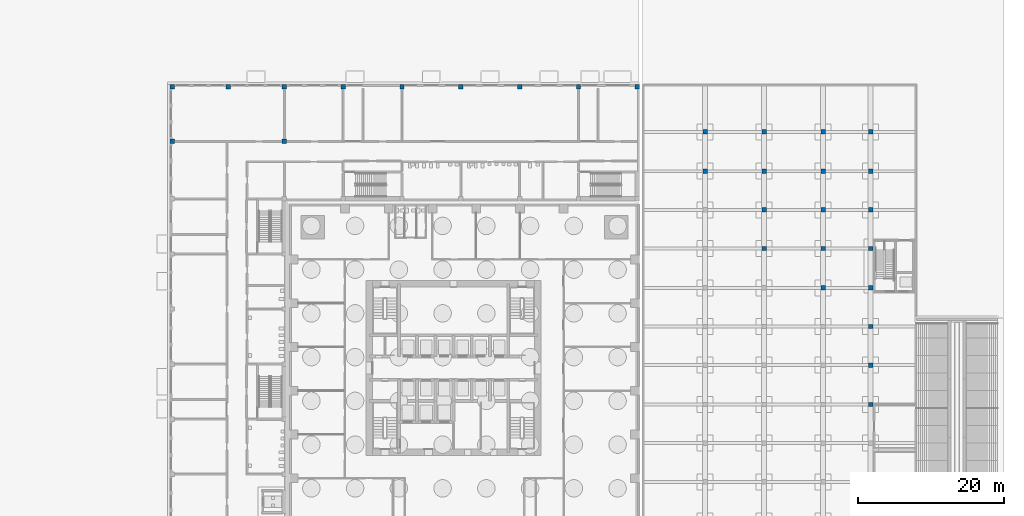
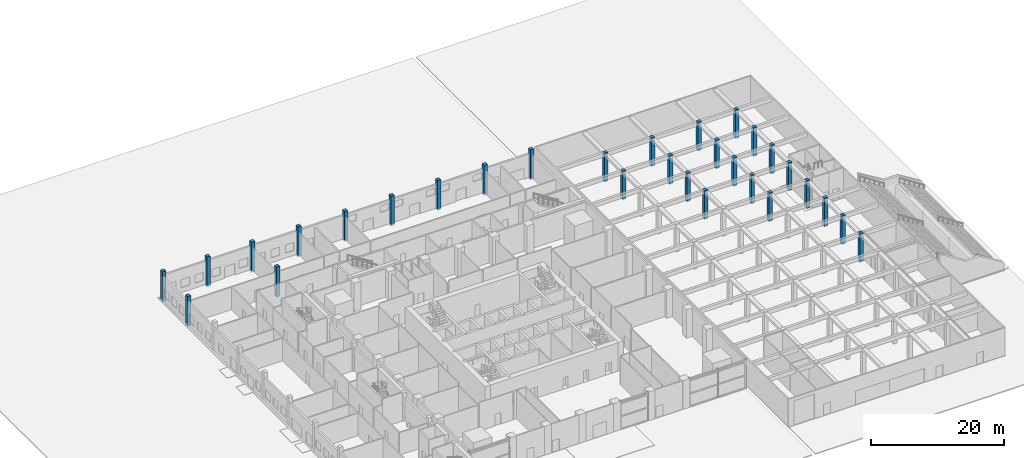
# One storey, part 2 of 33: 30 columns.
"""IFC4 building model written with IfcOpenShell, lengths in metres."""

from ifc_helpers import new_model, si_unit, direction, frame, origin, origin_2d, place, context, subcontext, project, spatial, rectangle, extrude, material, material_profile, profile_set, type_object, element, save


model = new_model("IFC4")

# Units and contexts
model_context = context("Model", 3, precision=1e-05, world=origin(), true_north=direction((0.0, 1.0)))
body_context = subcontext(model_context, "Body", "Model", "MODEL_VIEW")
ifc_project = project(units=[si_unit("LENGTHUNIT", "METRE"), si_unit("AREAUNIT", "SQUARE_METRE"), si_unit("VOLUMEUNIT", "CUBIC_METRE"), si_unit("PLANEANGLEUNIT", "RADIAN"), si_unit("MASSUNIT", "GRAM", prefix="KILO")], contexts=[model_context])

# Site, building, storey
site_placement = place(None, origin())
site = spatial("IfcSite", under=ifc_project, at=site_placement, CompositionType="ELEMENT")
building_placement = place(site_placement, origin())
building = spatial("IfcBuilding", under=site, at=building_placement, Name="Amberfall Residences", CompositionType="ELEMENT")
storey_placement = place(building_placement, origin())
storey = spatial("IfcBuildingStorey", under=building, at=storey_placement, Name="L00", CompositionType="ELEMENT", Elevation=0.0)

# Columns
ifc_material = material(Name="Concrete C50", Category="concrete")
ifc_material_profile_1 = material_profile(ifc_material, rectangle(XDim=0.60009765625, YDim=0.60009765625, at=origin_2d()), Name="RC 600x600")
ifc_profile_set_1 = profile_set([ifc_material_profile_1], Name="Concrete C50")
column_type_1 = type_object("IfcColumnType", Name="Car park column 600 C50", PredefinedType="COLUMN", material=ifc_profile_set_1)
for number, where, z_axis, x_axis, name in (
    (1, (109.0, 72.5, -0.199951171875), (0.0, 0.0, 1.0), (1.0, 0.0, 0.0), "Car park column 600 C50 L00 012"),
    (2, (109.0, 77.89990234375, -0.199951171875), (0.0, 0.0, 1.0), (1.0, 0.0, 0.0), "Car park column 600 C50 L00 013"),
    (3, (117.10009765625, 61.89990234375, -0.199951171875), (0.0, 0.0, 1.0), (1.0, 0.0, 0.0), "Car park column 600 C50 L00 023"),
    (4, (117.10009765625, 67.199951171875, -0.199951171875), (0.0, 0.0, 1.0), (1.0, 0.0, 0.0), "Car park column 600 C50 L00 024"),
    (5, (117.10009765625, 72.5, -0.199951171875), (0.0, 0.0, 1.0), (1.0, 0.0, 0.0), "Car park column 600 C50 L00 025"),
    (6, (117.10009765625, 77.89990234375, -0.199951171875), (0.0, 0.0, 1.0), (1.0, 0.0, 0.0), "Car park column 600 C50 L00 026"),
    (7, (125.199951171875, 56.5, -0.199951171875), (0.0, 0.0, 1.0), (1.0, 0.0, 0.0), "Car park column 600 C50 L00 035"),
    (8, (125.199951171875, 61.89990234375, -0.199951171875), (0.0, 0.0, 1.0), (1.0, 0.0, 0.0), "Car park column 600 C50 L00 036"),
    (9, (125.199951171875, 67.199951171875, -0.199951171875), (0.0, 0.0, 1.0), (1.0, 0.0, 0.0), "Car park column 600 C50 L00 037"),
    (10, (125.199951171875, 72.5, -0.199951171875), (0.0, 0.0, 1.0), (1.0, 0.0, 0.0), "Car park column 600 C50 L00 038"),
    (11, (125.199951171875, 77.89990234375, -0.199951171875), (0.0, 0.0, 1.0), (1.0, 0.0, 0.0), "Car park column 600 C50 L00 039"),
    (12, (131.699951171875, 40.5, -0.199951171875), (0.0, 0.0, 1.0), (1.0, 0.0, 0.0), "Car park column 600 C50 L00 045"),
    (13, (131.699951171875, 45.89990234375, -0.199951171875), (0.0, 0.0, 1.0), (1.0, 0.0, 0.0), "Car park column 600 C50 L00 046"),
    (14, (131.699951171875, 51.199951171875, -0.199951171875), (0.0, 0.0, 1.0), (1.0, 0.0, 0.0), "Car park column 600 C50 L00 047"),
):
    element("IfcColumn", number, at=place(storey_placement, frame(where, z_axis=z_axis, x_axis=x_axis)), inside=storey, type_object=column_type_1, Name=name, PredefinedType="COLUMN", context=body_context, shape_type="SweptSolid", body=[
        extrude(rectangle(XDim=0.60009765625, YDim=0.60009765625, at=origin_2d()), origin(), (0.0, 0.0, 1.0), 5.280029296875),
    ])
for number, where, z_axis, x_axis, name in (
    (15, (131.699951171875, 56.5, 0.0), (0.0, 0.0, 1.0), (1.0, 0.0, 0.0), "Car park column 600 C50 L00 048"),
    (16, (131.699951171875, 61.89990234375, 0.0), (0.0, 0.0, 1.0), (1.0, 0.0, 0.0), "Car park column 600 C50 L00 049"),
):
    element("IfcColumn", number, at=place(storey_placement, frame(where, z_axis=z_axis, x_axis=x_axis)), inside=storey, type_object=column_type_1, Name=name, PredefinedType="COLUMN", context=body_context, shape_type="SweptSolid", body=[
        extrude(rectangle(XDim=0.60009765625, YDim=0.60009765625, at=origin_2d()), origin(), (0.0, 0.0, 1.0), 5.080078125),
    ])
for number, where, z_axis, x_axis, name in (
    (17, (131.699951171875, 67.199951171875, -0.199951171875), (0.0, 0.0, 1.0), (1.0, 0.0, 0.0), "Car park column 600 C50 L00 050"),
    (18, (131.699951171875, 72.5, -0.199951171875), (0.0, 0.0, 1.0), (1.0, 0.0, 0.0), "Car park column 600 C50 L00 051"),
    (19, (131.699951171875, 77.89990234375, -0.199951171875), (0.0, 0.0, 1.0), (1.0, 0.0, 0.0), "Car park column 600 C50 L00 052"),
):
    element("IfcColumn", number, at=place(storey_placement, frame(where, z_axis=z_axis, x_axis=x_axis)), inside=storey, type_object=column_type_1, Name=name, PredefinedType="COLUMN", context=body_context, shape_type="SweptSolid", body=[
        extrude(rectangle(XDim=0.60009765625, YDim=0.60009765625, at=origin_2d()), origin(), (0.0, 0.0, 1.0), 5.280029296875),
    ])
ifc_material_profile_2 = material_profile(ifc_material, rectangle(XDim=0.60009765625, YDim=0.60009765625, at=origin_2d()), Name="School column 600 x 600 C50")
ifc_profile_set_2 = profile_set([ifc_material_profile_2], Name="Concrete C50")
column_type_2 = type_object("IfcColumnType", Name="School column 600 x 600 C50", PredefinedType="COLUMN", material=ifc_profile_set_2)
for number, where, z_axis, x_axis, name in (
    (20, (35.89990234375, 76.60009765625, -0.300048828125), (0.0, 0.0, 1.0), (1.0, 0.0, 0.0), "School column L00 19"),
    (21, (51.300048828125, 76.60009765625, -0.300048828125), (0.0, 0.0, 1.0), (1.0, 0.0, 0.0), "School column L00 20"),
    (22, (35.89990234375, 84.10009765625, -0.300048828125), (0.0, 0.0, 1.0), (1.0, 0.0, 0.0), "School column L00 21"),
    (23, (51.300048828125, 84.10009765625, -0.300048828125), (0.0, 0.0, 1.0), (1.0, 0.0, 0.0), "School column L00 22"),
    (24, (43.60009765625, 84.10009765625, -0.300048828125), (0.0, 0.0, 1.0), (1.0, 0.0, 0.0), "School column L00 23"),
    (25, (59.366943359375, 84.10009765625, -0.300048828125), (0.0, 0.0, 1.0), (1.0, 0.0, 0.0), "School column L00 24"),
    (26, (67.43310546875, 84.10009765625, -0.300048828125), (0.0, 0.0, 1.0), (1.0, 0.0, 0.0), "School column L00 26"),
    (27, (75.5, 84.10009765625, -0.300048828125), (0.0, 0.0, 1.0), (1.0, 0.0, 0.0), "School column L00 28"),
    (28, (83.56689453125, 84.10009765625, -0.300048828125), (0.0, 0.0, 1.0), (1.0, 0.0, 0.0), "School column L00 30"),
    (29, (91.633056640625, 84.10009765625, -0.300048828125), (0.0, 0.0, 1.0), (1.0, 0.0, 0.0), "School column L00 32"),
    (30, (99.699951171875, 84.10009765625, -0.300048828125), (0.0, 0.0, 1.0), (1.0, 0.0, 0.0), "School column L00 34"),
):
    element("IfcColumn", number, at=place(storey_placement, frame(where, z_axis=z_axis, x_axis=x_axis)), inside=storey, type_object=column_type_2, Name=name, PredefinedType="COLUMN", context=body_context, shape_type="SweptSolid", body=[
        extrude(rectangle(XDim=0.60009765625, YDim=0.60009765625, at=origin_2d()), origin(), (0.0, 0.0, 1.0), 5.5),
    ])

save(model, "model.ifc")
